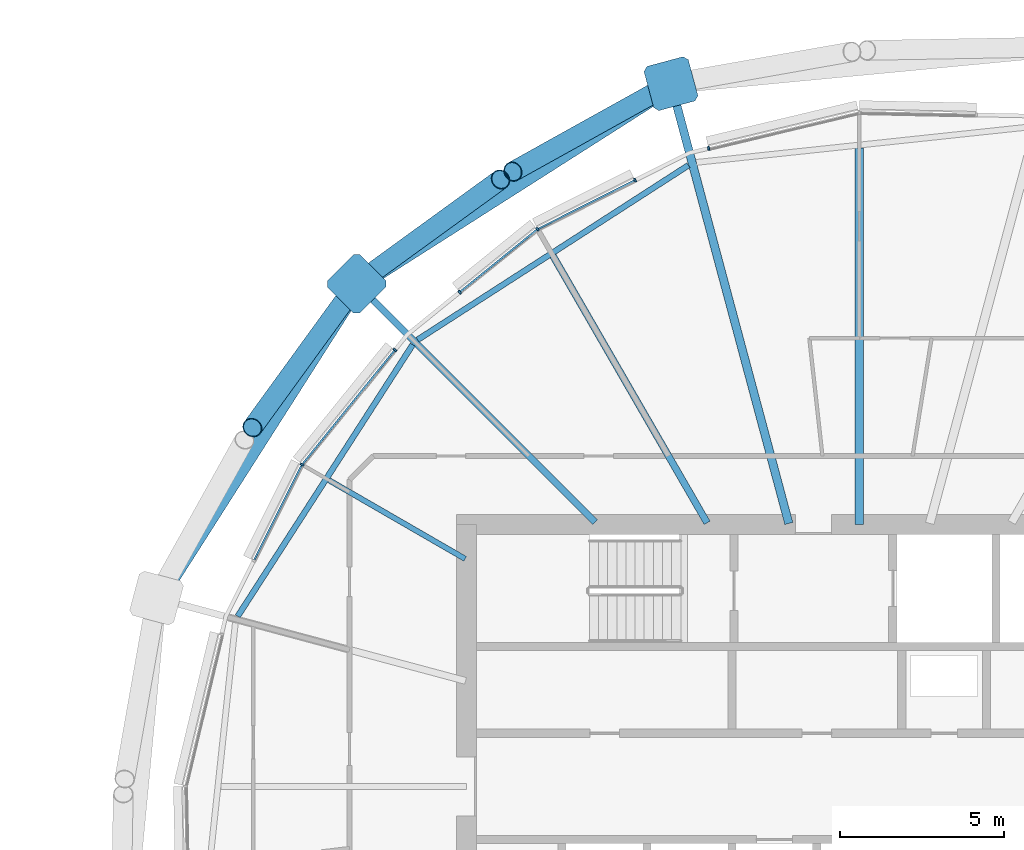
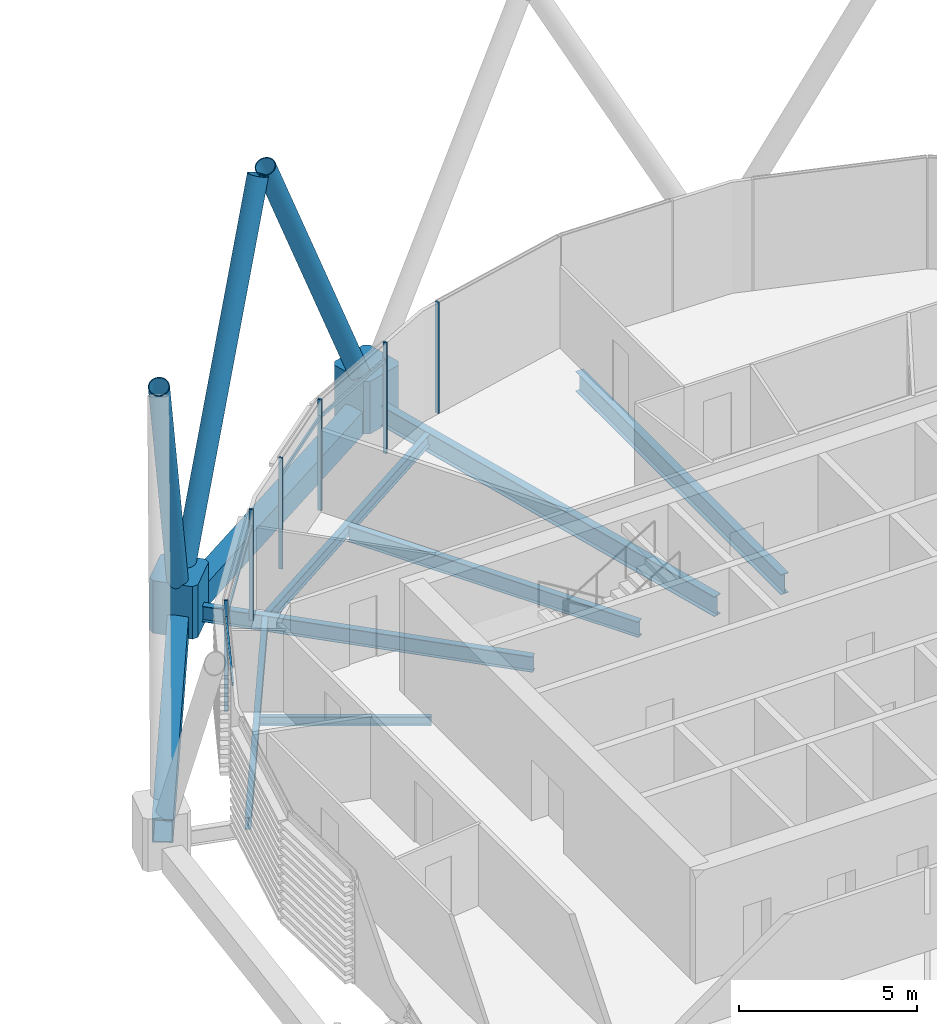
# One storey, part 18 of 35: 15 members, 9 beams, 1 element without a shape of its own.
"""IFC4 building model written with IfcOpenShell, lengths in metres."""

from ifc_helpers import new_model, si_unit, direction, frame, origin, origin_2d, place, context, subcontext, project, spatial, polyline, rectangle, hollow_rectangle, hollow_circle, i_section, outline, extrude, material, material_profile, profile_set, type_object, element, aggregate, save


model = new_model("IFC4")

# Units and contexts
model_context = context("Model", 3, precision=1e-05, world=origin(), true_north=direction((0.0, 1.0)))
body_context = subcontext(model_context, "Body", "Model", "MODEL_VIEW")
ifc_project = project(units=[si_unit("LENGTHUNIT", "METRE"), si_unit("AREAUNIT", "SQUARE_METRE"), si_unit("VOLUMEUNIT", "CUBIC_METRE"), si_unit("PLANEANGLEUNIT", "RADIAN"), si_unit("MASSUNIT", "GRAM", prefix="KILO")], contexts=[model_context])

# Site, building, storey
site_placement = place(None, origin())
site = spatial("IfcSite", under=ifc_project, at=site_placement, CompositionType="ELEMENT")
building_placement = place(site_placement, origin())
building = spatial("IfcBuilding", under=site, at=building_placement, Name="Rimbun Link Towers", CompositionType="ELEMENT")
storey_placement = place(building_placement, frame((0.0, 0.0, 181.699951171875)))
storey = spatial("IfcBuildingStorey", under=building, at=storey_placement, Name="L44", CompositionType="ELEMENT", Elevation=181.699951171875)

# Curtain wall, members
ifc_material_1 = material(Name="Aluminium 6063-T6 and low-iron glass", Category="aluminium")
curtain_wall_type = type_object("IfcCurtainWallType", Name="CW1-Z3 unitised vision wall (zone 3)", PredefinedType="NOTDEFINED", material=ifc_material_1)
curtain_wall_placement = place(storey_placement, origin())
curtain_wall = element("IfcCurtainWall", 1, at=curtain_wall_placement, inside=storey, type_object=curtain_wall_type, Name="CW1 L44 T2", PredefinedType="NOTDEFINED")
ifc_material_2 = material(Name="Aluminium 6063-T6", Category="aluminium")
ifc_material_profile_1 = material_profile(ifc_material_2, rectangle(XDim=0.1201171875, YDim=0.06005859375, at=origin_2d()), Name="MULLION 60X120")
ifc_profile_set_1 = profile_set([ifc_material_profile_1], Name="Aluminium 6063-T6")
member_type_1 = type_object("IfcMemberType", Name="CW1 mullion 60X120", PredefinedType="MULLION", material=ifc_profile_set_1)
member_1_placement = place(storey_placement, frame((27.14892578125, 19.495361328125, 0.0), z_axis=(0.0, 0.0, 1.0), x_axis=(-0.232596033225, 0.972573434414, 0.0)))
member_1 = element("IfcMember", 2, at=member_1_placement, type_object=member_type_1, Name="CW1 mullion", PredefinedType="MULLION", context=body_context, shape_type="SweptSolid", body=[
    extrude(rectangle(XDim=0.1201171875, YDim=0.06005859375, at=origin_2d()), origin(), (0.0, 0.0, 1.0), 3.800048828125),
])
member_2_placement = place(storey_placement, frame((21.91796875, 17.0234375, 0.0), z_axis=(0.0, 0.0, 1.0), x_axis=(-0.542094317248, 0.840317648992, 0.0)))
member_2 = element("IfcMember", 3, at=member_2_placement, type_object=member_type_1, Name="CW1 mullion", PredefinedType="MULLION", context=body_context, shape_type="SweptSolid", body=[
    extrude(rectangle(XDim=0.1201171875, YDim=0.06005859375, at=origin_2d()), origin(), (0.0, 0.0, 1.0), 3.800048828125),
])
member_3_placement = place(storey_placement, frame((24.899169921875, 18.52099609375, 0.0), z_axis=(0.0, 0.0, 1.0), x_axis=(-0.448780599884, 0.893641971467, 0.0)))
member_3 = element("IfcMember", 4, at=member_3_placement, type_object=member_type_1, Name="CW1 mullion", PredefinedType="MULLION", context=body_context, shape_type="SweptSolid", body=[
    extrude(rectangle(XDim=0.1201171875, YDim=0.06005859375, at=origin_2d()), origin(), (0.0, 0.0, 1.0), 3.800048828125),
])
member_4_placement = place(storey_placement, frame((19.541748046875, 15.100341796875, 0.0), z_axis=(0.0, 0.0, 1.0), x_axis=(-0.629146339344, 0.777286873483, 0.0)))
member_4 = element("IfcMember", 5, at=member_4_placement, type_object=member_type_1, Name="CW1 mullion", PredefinedType="MULLION", context=body_context, shape_type="SweptSolid", body=[
    extrude(rectangle(XDim=0.1201171875, YDim=0.06005859375, at=origin_2d()), origin(), (0.0, 0.0, 1.0), 3.800048828125),
])
member_5_placement = place(storey_placement, frame((14.7265625, 9.83203125, 0.0), z_axis=(0.0, 0.0, 1.0), x_axis=(-0.840317648992, 0.542094317248, 0.0)))
member_5 = element("IfcMember", 6, at=member_5_placement, type_object=member_type_1, Name="CW1 mullion", PredefinedType="MULLION", context=body_context, shape_type="SweptSolid", body=[
    extrude(rectangle(XDim=0.1201171875, YDim=0.06005859375, at=origin_2d()), origin(), (0.0, 0.0, 1.0), 3.800048828125),
])
member_6_placement = place(storey_placement, frame((17.561767578125, 13.33544921875, 0.0), z_axis=(0.0, 0.0, 1.0), x_axis=(-0.777286873483, 0.629146339344, 0.0)))
member_6 = element("IfcMember", 7, at=member_6_placement, type_object=member_type_1, Name="CW1 mullion", PredefinedType="MULLION", context=body_context, shape_type="SweptSolid", body=[
    extrude(rectangle(XDim=0.1201171875, YDim=0.06005859375, at=origin_2d()), origin(), (0.0, 0.0, 1.0), 3.800048828125),
])
ifc_material_3 = material(Name="Aluminium 6063-T6", Category="aluminium")
ifc_material_profile_2 = material_profile(ifc_material_3, rectangle(XDim=0.06005859375, YDim=0.1201171875, at=origin_2d()), Name="TRANSOM 60X120")
ifc_profile_set_2 = profile_set([ifc_material_profile_2], Name="Aluminium 6063-T6")
member_type_2 = type_object("IfcMemberType", Name="CW1 transom 60X120", PredefinedType="USERDEFINED", material=ifc_profile_set_2)
member_7_placement = place(storey_placement, frame((21.951416015625, 17.038330078125, 3.199951171875), z_axis=(0.89364927564, 0.44876605503, 0.0), x_axis=(-0.44876605503, 0.89364927564, 0.0)))
member_7 = element("IfcMember", 8, at=member_7_placement, type_object=member_type_2, Name="CW1 transom", ObjectType="TRANSOM", PredefinedType="USERDEFINED", context=body_context, shape_type="SweptSolid", body=[
    extrude(rectangle(XDim=0.06005859375, YDim=0.1201171875, at=origin_2d()), origin(), (0.0, 0.0, 1.0), 3.26953125),
])
member_8_placement = place(storey_placement, frame((19.566162109375, 15.11767578125, 3.199951171875), z_axis=(0.777296195394, 0.629134822296, 0.0), x_axis=(-0.629134822296, 0.777296195394, 0.0)))
member_8 = element("IfcMember", 9, at=member_8_placement, type_object=member_type_2, Name="CW1 transom", ObjectType="TRANSOM", PredefinedType="USERDEFINED", context=body_context, shape_type="SweptSolid", body=[
    extrude(rectangle(XDim=0.06005859375, YDim=0.1201171875, at=origin_2d()), origin(), (0.0, 0.0, 1.0), 2.99072265625),
])
member_9_placement = place(storey_placement, frame((14.750732421875, 9.859130859375, 3.199951171875), z_axis=(0.629130217393, 0.777299922529, 0.0), x_axis=(-0.777299922529, 0.629130217393, 0.0)))
member_9 = element("IfcMember", 10, at=member_9_placement, type_object=member_type_2, Name="CW1 transom", ObjectType="TRANSOM", PredefinedType="USERDEFINED", context=body_context, shape_type="SweptSolid", body=[
    extrude(rectangle(XDim=0.06005859375, YDim=0.1201171875, at=origin_2d()), origin(), (0.0, 0.0, 1.0), 4.440673828125),
])
member_10_placement = place(storey_placement, frame((13.266845703125, 6.92138671875, 3.199951171875), z_axis=(0.448759851443, 0.893652390884, 0.0), x_axis=(-0.893652390884, 0.448759851443, 0.0)))
member_10 = element("IfcMember", 11, at=member_10_placement, type_object=member_type_2, Name="CW1 transom", ObjectType="TRANSOM", PredefinedType="USERDEFINED", context=body_context, shape_type="SweptSolid", body=[
    extrude(rectangle(XDim=0.06005859375, YDim=0.1201171875, at=origin_2d()), origin(), (0.0, 0.0, 1.0), 3.219482421875),
])
aggregate(curtain_wall, [member_1, member_2, member_3, member_4, member_5, member_6, member_7, member_8, member_9, member_10])

# Members
ifc_material_4 = material(Name="Steel S355J2H", Category="steel")
ifc_material_profile_3 = material_profile(ifc_material_4, hollow_circle(Radius=0.3046875, WallThickness=0.02490234375, at=origin_2d()), Name="Diagrid diagonal CHS 610x25")
ifc_profile_set_3 = profile_set([ifc_material_profile_3], Name="Steel S355J2H")
member_type_3 = type_object("IfcMemberType", Name="Diagrid diagonal CHS 610x25", PredefinedType="BRACE", material=ifc_profile_set_3)
member_11_placement = place(storey_placement, frame((25.800048828125, 21.361328125, 0.446533203125), z_axis=(-0.39379232344, -0.218987861281, 0.892732839438), x_axis=(0.486006403122, -0.873955248353, 0.0)))
element("IfcMember", 12, at=member_11_placement, inside=storey, type_object=member_type_3, Name="Diagrid diagonal T2 L44-L47 04b", PredefinedType="BRACE", context=body_context, shape_type="SweptSolid", body=[
    extrude(hollow_circle(Radius=0.3046875, WallThickness=0.02490234375, at=origin_2d()), origin(), (0.0, 0.0, 1.0), 11.76953125),
])
for number, where, z_axis, x_axis, name in (
    (13, (16.57470703125, 15.4853515625, 0.447998046875), (0.359426663615, 0.260886282837, 0.895963627002), (-0.587413120426, 0.809287233281, 0.0), "Diagrid diagonal T2 L44-L47 06a"),
    (14, (16.2646484375, 15.17529296875, 0.447998046875), (-0.260886282837, -0.359426663615, 0.895963627002), (0.809287233281, -0.587413120426, 0.0), "Diagrid diagonal T2 L44-L47 06b"),
):
    element("IfcMember", number, at=place(storey_placement, frame(where, z_axis=z_axis, x_axis=x_axis)), inside=storey, type_object=member_type_3, Name=name, PredefinedType="BRACE", context=body_context, shape_type="SweptSolid", body=[
        extrude(hollow_circle(Radius=0.3046875, WallThickness=0.02490234375, at=origin_2d()), origin(), (0.0, 0.0, 1.0), 11.723876953125),
    ])
ifc_material_5 = material(Name="Cast steel G20Mn5+QT, Rp0.2 300 MPa", Category="steel")
ifc_material_profile_4 = material_profile(ifc_material_5, outline(polyline([(0.699951171875, -0.570068359375), (0.699951171875, 0.570068359375), (0.570068359375, 0.699951171875), (-0.570068359375, 0.699951171875), (-0.699951171875, 0.570068359375), (-0.699951171875, -0.570068359375), (-0.570068359375, -0.699951171875), (0.570068359375, -0.699951171875), (0.699951171875, -0.570068359375)])), Name="NODE 1400x1400")
ifc_profile_set_4 = profile_set([ifc_material_profile_4], Name="Cast steel G20Mn5+QT, Rp0.2 300 MPa")
member_type_4 = type_object("IfcMemberType", Name="Diagrid node cast 1400", PredefinedType="USERDEFINED", material=ifc_profile_set_4)
for number, where, z_axis, x_axis, name in (
    (15, (25.996826171875, 21.470703125, -0.89990234375), (0.0, 0.0, 1.0), (-0.258819045103, 0.965925826289, 0.0), "Diagrid node L44 04"),
    (16, (16.39501953125, 15.35498046875, -0.89990234375), (0.0, 0.0, 1.0), (-0.707106781187, 0.707106781187, 0.0), "Diagrid node L44 06"),
):
    element("IfcMember", number, at=place(storey_placement, frame(where, z_axis=z_axis, x_axis=x_axis)), inside=storey, type_object=member_type_4, Name=name, ObjectType="Diagrid node", PredefinedType="USERDEFINED", context=body_context, shape_type="SweptSolid", body=[
        extrude(outline(polyline([(0.699951171875, -0.570068359375), (0.699951171875, 0.570068359375), (0.570068359375, 0.699951171875), (-0.570068359375, 0.699951171875), (-0.699951171875, 0.570068359375), (-0.699951171875, -0.570068359375), (-0.570068359375, -0.699951171875), (0.570068359375, -0.699951171875), (0.699951171875, -0.570068359375)])), origin(), (0.0, 0.0, 1.0), 1.800048828125),
    ])

# Beams
ifc_material_6 = material(Name="Steel S355J2", Category="steel")
ifc_material_profile_5 = material_profile(ifc_material_6, hollow_rectangle(XDim=0.60009765625, YDim=0.800048828125, WallThickness=0.0400390625, at=origin_2d()), Name="Exoskeleton ring girder BOX 600x800x40")
ifc_profile_set_5 = profile_set([ifc_material_profile_5], Name="Steel S355J2")
beam_type_1 = type_object("IfcBeamType", Name="Exoskeleton ring girder BOX 600x800x40", PredefinedType="BEAM", material=ifc_profile_set_5)
for number, where, z_axis, x_axis, name in (
    (17, (25.406494140625, 21.0947265625, -0.56005859375), (-0.843433854944, -0.537233033547, 0.0), (0.537233033547, -0.843433854944, 0.0), "Exoskeleton ring girder L44 01"),
    (18, (16.01904296875, 14.764404296875, -0.56005859375), (-0.537233033547, -0.843433854944, 0.0), (0.843433854944, -0.537233033547, 0.0), "Exoskeleton ring girder L44 02"),
):
    element("IfcBeam", number, at=place(storey_placement, frame(where, z_axis=z_axis, x_axis=x_axis)), inside=storey, type_object=beam_type_1, Name=name, PredefinedType="BEAM", context=body_context, shape_type="SweptSolid", body=[
        extrude(hollow_rectangle(XDim=0.60009765625, YDim=0.800048828125, WallThickness=0.0400390625, at=origin_2d()), origin(), (0.0, 0.0, 1.0), 9.984130859375),
    ])
ifc_material_7 = material(Name="Steel S355J2", Category="steel")
ifc_material_profile_6 = material_profile(ifc_material_7, i_section(OverallWidth=0.1650390625, OverallDepth=0.303466796875, WebThickness=0.006103515625, FlangeThickness=0.01025390625, at=origin_2d()), Name="UB 305x165x40")
ifc_profile_set_6 = profile_set([ifc_material_profile_6], Name="Steel S355J2")
beam_type_2 = type_object("IfcBeamType", Name="UB 305x165x40", PredefinedType="BEAM", material=ifc_profile_set_6)
beam_1_placement = place(storey_placement, frame((19.7080078125, 6.952392578125, -0.3017578125), z_axis=(-0.86601219566, 0.500022876445, 0.0), x_axis=(-0.500022876445, -0.86601219566, 0.0)))
element("IfcBeam", 19, at=beam_1_placement, inside=storey, type_object=beam_type_2, Name="Radial beam T2 L44 07", PredefinedType="BEAM", context=body_context, shape_type="SweptSolid", body=[
    extrude(i_section(OverallWidth=0.1650390625, OverallDepth=0.303466796875, WebThickness=0.006103515625, FlangeThickness=0.01025390625, at=origin_2d()), origin(), (0.0, 0.0, 1.0), 4.806884765625),
])
ifc_material_8 = material(Name="Steel S355J2", Category="steel")
ifc_material_profile_7 = material_profile(ifc_material_8, i_section(OverallWidth=0.177978515625, OverallDepth=0.406494140625, WebThickness=0.0078125, FlangeThickness=0.0126953125, at=origin_2d()), Name="UB 406x178x60")
ifc_profile_set_7 = profile_set([ifc_material_profile_7], Name="Steel S355J2")
beam_type_3 = type_object("IfcBeamType", Name="UB 406x178x60", PredefinedType="BEAM", material=ifc_profile_set_7)
beam_2_placement = place(storey_placement, frame((26.532470703125, 18.978271484375, -0.353271484375), z_axis=(-0.840622208514, -0.541621918457, 0.0), x_axis=(0.541621918457, -0.840622208514, 0.0)))
element("IfcBeam", 20, at=beam_2_placement, inside=storey, type_object=beam_type_3, Name="Edge beam T2 L44 04-06", PredefinedType="BEAM", context=body_context, shape_type="SweptSolid", body=[
    extrude(i_section(OverallWidth=0.177978515625, OverallDepth=0.406494140625, WebThickness=0.0078125, FlangeThickness=0.0126953125, at=origin_2d()), origin(), (0.0, 0.0, 1.0), 9.84716796875),
])
beam_3_placement = place(storey_placement, frame((18.105224609375, 13.495361328125, -0.353271484375), z_axis=(-0.541612395065, -0.840628344462, 0.0), x_axis=(0.840628344462, -0.541612395065, 0.0)))
element("IfcBeam", 21, at=beam_3_placement, inside=storey, type_object=beam_type_3, Name="Edge beam T2 L44 06-08", PredefinedType="BEAM", context=body_context, shape_type="SweptSolid", body=[
    extrude(i_section(OverallWidth=0.177978515625, OverallDepth=0.406494140625, WebThickness=0.0078125, FlangeThickness=0.0126953125, at=origin_2d()), origin(), (0.0, 0.0, 1.0), 9.870361328125),
])
ifc_material_9 = material(Name="Steel S355J2", Category="steel")
ifc_material_profile_8 = material_profile(ifc_material_9, i_section(OverallWidth=0.209228515625, OverallDepth=0.533203125, WebThickness=0.010009765625, FlangeThickness=0.015625, at=origin_2d()), Name="UB 533x210x92")
ifc_profile_set_8 = profile_set([ifc_material_profile_8], Name="Steel S355J2")
beam_type_4 = type_object("IfcBeamType", Name="UB 533x210x92", PredefinedType="BEAM", material=ifc_profile_set_8)
beam_4_placement = place(storey_placement, frame((27.1005859375, 8.05322265625, -0.41650390625), z_axis=(-0.50001657107, 0.866015836261, 0.0), x_axis=(-0.866015836261, -0.50001657107, 0.0)))
element("IfcBeam", 22, at=beam_4_placement, inside=storey, type_object=beam_type_4, Name="Radial beam T2 L44 05", PredefinedType="BEAM", context=body_context, shape_type="SweptSolid", body=[
    extrude(i_section(OverallWidth=0.209228515625, OverallDepth=0.533203125, WebThickness=0.010009765625, FlangeThickness=0.015625, at=origin_2d()), origin(), (0.0, 0.0, 1.0), 9.412841796875),
])
beam_5_placement = place(storey_placement, frame((23.67529296875, 8.07470703125, -0.41650390625), z_axis=(-0.707106781187, 0.707106781187, 0.0), x_axis=(-0.707106781187, -0.707106781187, 0.0)))
element("IfcBeam", 23, at=beam_5_placement, inside=storey, type_object=beam_type_4, Name="Radial beam T2 L44 06", PredefinedType="BEAM", context=body_context, shape_type="SweptSolid", body=[
    extrude(i_section(OverallWidth=0.209228515625, OverallDepth=0.533203125, WebThickness=0.010009765625, FlangeThickness=0.015625, at=origin_2d()), origin(), (0.0, 0.0, 1.0), 9.795654296875),
])
ifc_material_10 = material(Name="Steel S355J2", Category="steel")
ifc_material_profile_9 = material_profile(ifc_material_10, i_section(OverallWidth=0.253662109375, OverallDepth=0.68359375, WebThickness=0.012451171875, FlangeThickness=0.01904296875, at=origin_2d()), Name="UB 686x254x140")
ifc_profile_set_9 = profile_set([ifc_material_profile_9], Name="Steel S355J2")
beam_type_5 = type_object("IfcBeamType", Name="UB 686x254x140", PredefinedType="BEAM", material=ifc_profile_set_9)
beam_6_placement = place(storey_placement, frame((31.75, 8.0009765625, -0.49169921875), z_axis=(0.0, 1.0, 0.0), x_axis=(-1.0, 0.0, 0.0)))
element("IfcBeam", 24, at=beam_6_placement, inside=storey, type_object=beam_type_5, Name="Radial beam T2 L44 03", PredefinedType="BEAM", context=body_context, shape_type="SweptSolid", body=[
    extrude(i_section(OverallWidth=0.253662109375, OverallDepth=0.68359375, WebThickness=0.012451171875, FlangeThickness=0.01904296875, at=origin_2d()), origin(), (0.0, 0.0, 1.0), 11.503173828125),
])
beam_7_placement = place(storey_placement, frame((29.597412109375, 8.03369140625, -0.49169921875), z_axis=(-0.258829505227, 0.965923023446, 0.0), x_axis=(-0.965923023446, -0.258829505227, 0.0)))
element("IfcBeam", 25, at=beam_7_placement, inside=storey, type_object=beam_type_5, Name="Radial beam T2 L44 04", PredefinedType="BEAM", context=body_context, shape_type="SweptSolid", body=[
    extrude(i_section(OverallWidth=0.253662109375, OverallDepth=0.68359375, WebThickness=0.012451171875, FlangeThickness=0.01904296875, at=origin_2d()), origin(), (0.0, 0.0, 1.0), 13.4111328125),
])

save(model, "model.ifc")
